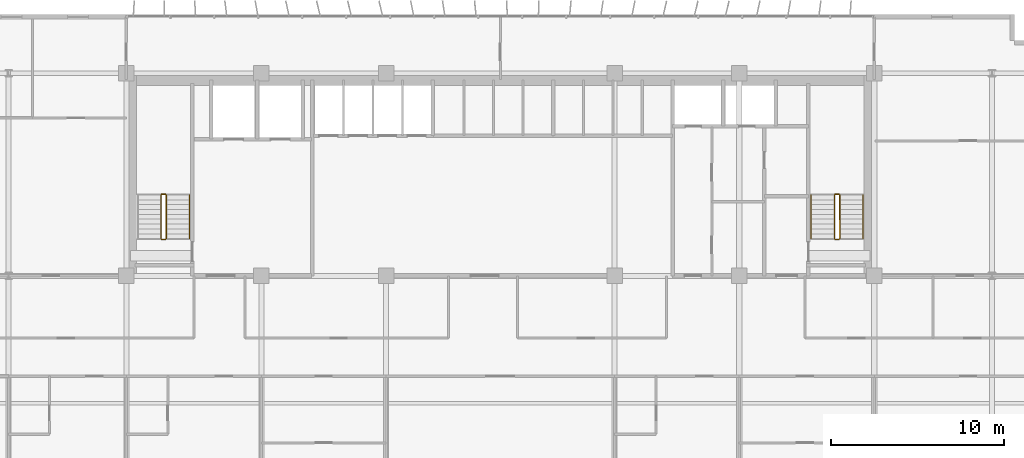
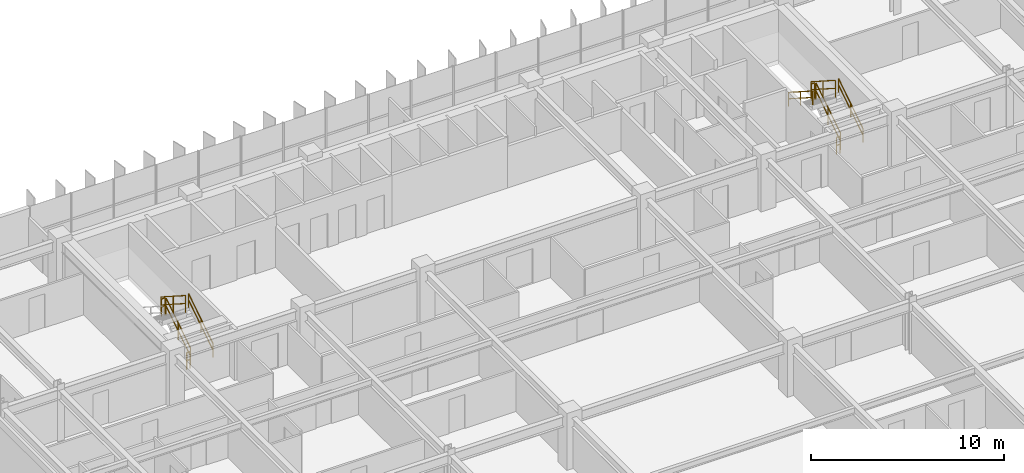
# One storey, part 24 of 25: 11 railings.
"""IFC4 building model written with IfcOpenShell, lengths in metres."""

import ifcopenshell
import ifcopenshell.guid

model = None  # the IFC model being written
_history = None  # IfcOwnerHistory: only IFC2X3 demands one
_inside = {}  # id of a spatial element -> (the spatial element, [elements in it])
_under = {}  # id of a project, library or spatial element -> (it, [spatial elements below it])
_declared = {}  # id of a project -> (the project, [libraries it declares])
_typed = {}  # id of a type object -> (the type object, [elements of that type])
_made_of = {}  # id of a material, layer set ... -> (it, [elements and type objects made of it])


def new_model(schema):
    """Start an empty IFC model of exactly this schema.

    Asked for "IFC4X3", IfcOpenShell would pick the latest addendum, in which some entities
    have other attributes; the version numbers below select the first issue.
    IFC2X3 requires an IfcOwnerHistory on every rooted entity: one is made here for all.
    """
    global model, _history
    if schema == "IFC4X3":
        model = ifcopenshell.file(schema_version=(4, 3, 0, 0))
    else:
        model = ifcopenshell.file(schema=schema)
    _inside.clear()
    _under.clear()
    _declared.clear()
    _typed.clear()
    _made_of.clear()
    _history = None
    if model.schema == "IFC2X3":
        org = make("IfcOrganization", Name="unknown")
        user = make(
            "IfcPersonAndOrganization",
            ThePerson=make("IfcPerson", FamilyName="unknown"),
            TheOrganization=org,
        )
        app = make(
            "IfcApplication",
            ApplicationDeveloper=org,
            Version="unknown",
            ApplicationFullName="unknown",
            ApplicationIdentifier="unknown",
        )
        _history = make(
            "IfcOwnerHistory",
            OwningUser=user,
            OwningApplication=app,
            ChangeAction="ADDED",
            CreationDate=0,
        )
    return model


def make(cls, **values):
    """One entity of the class cls with the attributes given. An attribute that is None is left unset."""
    return model.create_entity(
        cls, **{name: value for name, value in values.items() if value is not None}
    )


def rooted(cls, **values):
    """An entity with a GlobalId (a new one), such as an element, a storey or a relation."""
    return make(cls, GlobalId=ifcopenshell.guid.new(), OwnerHistory=_history, **values)


def si_unit(unit_type, name, prefix=None):
    """IfcSIUnit, for example si_unit("LENGTHUNIT", "METRE", prefix="MILLI")."""
    return make("IfcSIUnit", UnitType=unit_type, Prefix=prefix, Name=name)


def assignment(units):
    """IfcUnitAssignment: the units of a project."""
    return None if units is None else make("IfcUnitAssignment", Units=units)


def point(xyz):
    """IfcCartesianPoint."""
    return None if xyz is None else make("IfcCartesianPoint", Coordinates=xyz)


def direction(xyz):
    """IfcDirection."""
    return None if xyz is None else make("IfcDirection", DirectionRatios=xyz)


def frame(location, z_axis=None, x_axis=None):
    """IfcAxis2Placement3D, a coordinate frame: its origin and axes. An axis left out is left unset."""
    return make(
        "IfcAxis2Placement3D",
        Location=point(location),
        Axis=direction(z_axis),
        RefDirection=direction(x_axis),
    )


def frame_2d(location, x_axis=None):
    """IfcAxis2Placement2D, a coordinate frame in the plane: its origin and x axis."""
    return make(
        "IfcAxis2Placement2D", Location=point(location), RefDirection=direction(x_axis)
    )


def origin():
    """The frame at (0, 0, 0) with its axes left unset."""
    return frame((0.0, 0.0, 0.0))


def origin_2d():
    """The frame at (0, 0) in the plane with its x axis left unset."""
    return frame_2d((0.0, 0.0))


def place(relative_to, where):
    """IfcLocalPlacement: puts the frame where relative to a parent placement (None: the world)."""
    return make(
        "IfcLocalPlacement", PlacementRelTo=relative_to, RelativePlacement=where
    )


def context(
    kind, dimensions, precision=None, world=None, true_north=None, identifier=None
):
    """IfcGeometricRepresentationContext, for example the 3D "Model" context."""
    return make(
        "IfcGeometricRepresentationContext",
        ContextIdentifier=identifier,
        ContextType=kind,
        CoordinateSpaceDimension=dimensions,
        Precision=precision,
        WorldCoordinateSystem=world,
        TrueNorth=true_north,
    )


def subcontext(parent, identifier, kind, view, scale=None):
    """IfcGeometricRepresentationSubContext, for example "Body" below "Model"."""
    return make(
        "IfcGeometricRepresentationSubContext",
        ContextIdentifier=identifier,
        ContextType=kind,
        ParentContext=parent,
        TargetScale=scale,
        TargetView=view,
    )


def project(units=None, contexts=None):
    """IfcProject with its units and contexts."""
    return rooted(
        "IfcProject",
        Name="project",
        RepresentationContexts=contexts,
        UnitsInContext=assignment(units),
    )


def spatial(cls, under=None, at=None, **own):
    """A site, building, storey or space (cls), placed at a placement, below another one or the project."""
    s = rooted(cls, ObjectPlacement=at, **own)
    if under is not None:
        _under.setdefault(under.id(), (under, []))[1].append(s)
    return s


def profile(cls, at=None, kind="AREA", **sizes):
    """A parametric profile (cls). Its sizes go by their IFC names, for example OverallWidth=200.0."""
    return make(cls, ProfileType=kind, Position=at, **sizes)


def rectangle(**sizes):
    """IfcRectangleProfileDef."""
    return profile("IfcRectangleProfileDef", **sizes)


def extrude(swept, where, along, depth):
    """IfcExtrudedAreaSolid: the profile swept, set in the frame where, extruded along a direction by depth."""
    return make(
        "IfcExtrudedAreaSolid",
        SweptArea=swept,
        Position=where,
        ExtrudedDirection=direction(along),
        Depth=depth,
    )


def shape(context_of_items, identifier, shape_type, items):
    """IfcShapeRepresentation: the items that make up one representation, for example the "Body"."""
    return make(
        "IfcShapeRepresentation",
        ContextOfItems=context_of_items,
        RepresentationIdentifier=identifier,
        RepresentationType=shape_type,
        Items=items,
    )


def material(Name=None, Category=None):
    """IfcMaterial."""
    return make("IfcMaterial", Name=Name, Category=Category)


def made_of(thing, what):
    """Note that an element or type object is made of a material, layer set ...; save() writes the relation."""
    if what is not None:
        _made_of.setdefault(what.id(), (what, []))[1].append(thing)
    return thing


def type_object(cls, material=None, **own):
    """A type object (cls), such as IfcWallType, which elements share."""
    return made_of(rooted(cls, **own), material)


def element(
    cls,
    number,
    at=None,
    inside=None,
    cuts=None,
    type_object=None,
    material=None,
    context=None,
    identifier="Body",
    shape_type=None,
    held_by="IfcProductDefinitionShape",
    body=None,
    shapes=None,
    **own,
):
    """One element of the class cls, such as IfcWall. Its Tag is "e" and its number.

    at: its placement. inside: the storey or other place that contains it. cuts: it is an
    opening in that element (IfcRelVoidsElement). A single representation is given by context,
    identifier, shape_type and body (its items); several are given by shapes. held_by: the class
    of the entity that holds the representations. save() writes the other relations.
    """
    e = rooted(cls, Tag="e%d" % number, ObjectPlacement=at, **own)
    if body is not None:
        shapes = [shape(context, identifier, shape_type, body)]
    if shapes is not None:
        e.Representation = make(held_by, Representations=shapes)
    if inside is not None:
        _inside.setdefault(inside.id(), (inside, []))[1].append(e)
    if cuts is not None:
        rooted(
            "IfcRelVoidsElement", RelatingBuildingElement=cuts, RelatedOpeningElement=e
        )
    if type_object is not None:
        _typed.setdefault(type_object.id(), (type_object, []))[1].append(e)
    return made_of(e, material)


def aggregate(whole, parts):
    """IfcRelAggregates: a whole, such as a stair, and the parts it consists of."""
    return rooted("IfcRelAggregates", RelatingObject=whole, RelatedObjects=parts)


def save(model, path):
    """Write the relations noted so far, then the file.

    IfcRelAggregates (storeys below a building ...), IfcRelContainedInSpatialStructure (elements
    in a storey), IfcRelDefinesByType, IfcRelAssociatesMaterial and IfcRelDeclares: one each for
    every whole, place, type object, material and project.
    """
    for whole, parts in _under.values():
        aggregate(whole, parts)
    for where, things in _inside.values():
        rooted(
            "IfcRelContainedInSpatialStructure",
            RelatedElements=things,
            RelatingStructure=where,
        )
    for kind, things in _typed.values():
        rooted("IfcRelDefinesByType", RelatedObjects=things, RelatingType=kind)
    for what, things in _made_of.values():
        rooted("IfcRelAssociatesMaterial", RelatedObjects=things, RelatingMaterial=what)
    for by, libraries in _declared.values():
        rooted("IfcRelDeclares", RelatingContext=by, RelatedDefinitions=libraries)
    model.write(path)


model = new_model("IFC4")

# Units and contexts
model_context = context("Model", 3, precision=1e-05, world=origin(), true_north=direction((0.0, 1.0)))
body_context = subcontext(model_context, "Body", "Model", "MODEL_VIEW")
ifc_project = project(units=[si_unit("LENGTHUNIT", "METRE"), si_unit("AREAUNIT", "SQUARE_METRE"), si_unit("VOLUMEUNIT", "CUBIC_METRE"), si_unit("PLANEANGLEUNIT", "RADIAN"), si_unit("MASSUNIT", "GRAM", prefix="KILO")], contexts=[model_context])

# Site, building, storey
site_placement = place(None, origin())
site = spatial("IfcSite", under=ifc_project, at=site_placement, CompositionType="ELEMENT")
building_placement = place(site_placement, origin())
building = spatial("IfcBuilding", under=site, at=building_placement, Name="Trelvane Seafront Commons", CompositionType="ELEMENT")
storey_placement = place(building_placement, frame((0.0, 0.0, 70.300048828125)))
storey = spatial("IfcBuildingStorey", under=building, at=storey_placement, Name="L18", CompositionType="ELEMENT", Elevation=70.300048828125)

# Railings
ifc_material = material(Name="Stainless steel balustrade", Category="steel")
railing_type_1 = type_object("IfcRailingType", Name="ARCH-SRL-GUARD", PredefinedType="GUARDRAIL", material=ifc_material)
railing_1_placement = place(storey_placement, frame((17.89990234375, 35.550048828125, 0.179931640625)))
element("IfcRailing", 1, at=railing_1_placement, inside=storey, type_object=railing_type_1, Name="L18 ST-1 stair guard 1", PredefinedType="GUARDRAIL", context=body_context, shape_type="SweptSolid", body=[
    extrude(rectangle(XDim=0.048095703125, YDim=0.048095703125, at=origin_2d()), frame((0.0, 0.0, 1.076171875), z_axis=(0.0, 0.841162588446, 0.540782303519), x_axis=(-1.0, 0.0, 0.0)), (0.0, 0.0, 1.0), 2.995849609375),
    extrude(rectangle(XDim=0.048095703125, YDim=0.048095703125, at=origin_2d()), frame((0.0, 0.0, 0.572021484375), z_axis=(0.0, 0.841162588446, 0.540782303519), x_axis=(-1.0, 0.0, 0.0)), (0.0, 0.0, 1.0), 2.995849609375),
    extrude(rectangle(XDim=0.0419921875, YDim=0.0419921875, at=origin_2d()), origin(), (0.0, 0.0, 1.0), 1.076171875),
    extrude(rectangle(XDim=0.0419921875, YDim=0.0419921875, at=origin_2d()), frame((0.0, 1.260009765625, 0.81005859375)), (0.0, 0.0, 1.0), 1.076171875),
    extrude(rectangle(XDim=0.0419921875, YDim=0.0419921875, at=origin_2d()), frame((0.0, 2.52001953125, 1.6201171875)), (0.0, 0.0, 1.0), 1.076171875),
])
railing_2_placement = place(storey_placement, frame((17.85009765625, 38.1201171875, 1.800048828125)))
element("IfcRailing", 2, at=railing_2_placement, inside=storey, type_object=railing_type_1, Name="L18 ST-1 stair guard 2", PredefinedType="GUARDRAIL", context=body_context, shape_type="SweptSolid", body=[
    extrude(rectangle(XDim=0.048095703125, YDim=0.048095703125, at=origin_2d()), frame((0.0, 0.0, 1.076171875), z_axis=(-1.0, 0.0, 0.0), x_axis=(0.0, -1.0, 0.0)), (0.0, 0.0, 1.0), 0.2001953125),
    extrude(rectangle(XDim=0.048095703125, YDim=0.048095703125, at=origin_2d()), frame((0.0, 0.0, 0.572021484375), z_axis=(-1.0, 0.0, 0.0), x_axis=(0.0, -1.0, 0.0)), (0.0, 0.0, 1.0), 0.2001953125),
    extrude(rectangle(XDim=0.0419921875, YDim=0.0419921875, at=origin_2d()), origin(), (0.0, 0.0, 1.0), 1.076171875),
    extrude(rectangle(XDim=0.0419921875, YDim=0.0419921875, at=origin_2d()), frame((-0.2001953125, 0.0, 0.0)), (0.0, 0.0, 1.0), 1.076171875),
])
railing_3_placement = place(storey_placement, frame((17.60009765625, 38.070068359375, 1.97998046875)))
element("IfcRailing", 3, at=railing_3_placement, inside=storey, type_object=railing_type_1, Name="L18 ST-1 stair guard 3", PredefinedType="GUARDRAIL", context=body_context, shape_type="SweptSolid", body=[
    extrude(rectangle(XDim=0.048095703125, YDim=0.048095703125, at=origin_2d()), frame((0.0, 0.0, 1.076171875), z_axis=(0.0, -0.841199657755, 0.540724639528), x_axis=(1.0, 0.0, 0.0)), (0.0, 0.0, 1.0), 2.995849609375),
    extrude(rectangle(XDim=0.048095703125, YDim=0.048095703125, at=origin_2d()), frame((0.0, 0.0, 0.572021484375), z_axis=(0.0, -0.841199657755, 0.540724639528), x_axis=(1.0, 0.0, 0.0)), (0.0, 0.0, 1.0), 2.995849609375),
    extrude(rectangle(XDim=0.0419921875, YDim=0.0419921875, at=origin_2d()), origin(), (0.0, 0.0, 1.0), 1.076171875),
    extrude(rectangle(XDim=0.0419921875, YDim=0.0419921875, at=origin_2d()), frame((0.0, -1.260009765625, 0.81005859375)), (0.0, 0.0, 1.0), 1.076171875),
    extrude(rectangle(XDim=0.0419921875, YDim=0.0419921875, at=origin_2d()), frame((0.0, -2.52001953125, 1.619873046875)), (0.0, 0.0, 1.0), 1.076171875),
])
railing_4_placement = place(storey_placement, frame((17.85009765625, 35.5, 0.0)))
element("IfcRailing", 4, at=railing_4_placement, inside=storey, type_object=railing_type_1, Name="L18 ST-1 stair guard 4", PredefinedType="GUARDRAIL", context=body_context, shape_type="SweptSolid", body=[
    extrude(rectangle(XDim=0.048095703125, YDim=0.048095703125, at=origin_2d()), frame((0.0, 0.0, 1.076171875), z_axis=(-1.0, 0.0, 0.0), x_axis=(0.0, -1.0, 0.0)), (0.0, 0.0, 1.0), 0.2001953125),
    extrude(rectangle(XDim=0.048095703125, YDim=0.048095703125, at=origin_2d()), frame((0.0, 0.0, 0.572021484375), z_axis=(-1.0, 0.0, 0.0), x_axis=(0.0, -1.0, 0.0)), (0.0, 0.0, 1.0), 0.2001953125),
    extrude(rectangle(XDim=0.0419921875, YDim=0.0419921875, at=origin_2d()), origin(), (0.0, 0.0, 1.0), 1.076171875),
    extrude(rectangle(XDim=0.0419921875, YDim=0.0419921875, at=origin_2d()), frame((-0.2001953125, 0.0, 0.0)), (0.0, 0.0, 1.0), 1.076171875),
])
railing_5_placement = place(storey_placement, frame((56.800048828125, 35.550048828125, 0.179931640625)))
element("IfcRailing", 5, at=railing_5_placement, inside=storey, type_object=railing_type_1, Name="L18 ST-2 stair guard 1", PredefinedType="GUARDRAIL", context=body_context, shape_type="SweptSolid", body=[
    extrude(rectangle(XDim=0.048095703125, YDim=0.048095703125, at=origin_2d()), frame((0.0, 0.0, 1.076171875), z_axis=(0.0, 0.841162588446, 0.540782303519), x_axis=(-1.0, 0.0, 0.0)), (0.0, 0.0, 1.0), 2.995849609375),
    extrude(rectangle(XDim=0.048095703125, YDim=0.048095703125, at=origin_2d()), frame((0.0, 0.0, 0.572021484375), z_axis=(0.0, 0.841162588446, 0.540782303519), x_axis=(-1.0, 0.0, 0.0)), (0.0, 0.0, 1.0), 2.995849609375),
    extrude(rectangle(XDim=0.0419921875, YDim=0.0419921875, at=origin_2d()), origin(), (0.0, 0.0, 1.0), 1.076171875),
    extrude(rectangle(XDim=0.0419921875, YDim=0.0419921875, at=origin_2d()), frame((0.0, 1.260009765625, 0.81005859375)), (0.0, 0.0, 1.0), 1.076171875),
    extrude(rectangle(XDim=0.0419921875, YDim=0.0419921875, at=origin_2d()), frame((0.0, 2.52001953125, 1.6201171875)), (0.0, 0.0, 1.0), 1.076171875),
])
railing_6_placement = place(storey_placement, frame((56.75, 38.1201171875, 1.800048828125)))
element("IfcRailing", 6, at=railing_6_placement, inside=storey, type_object=railing_type_1, Name="L18 ST-2 stair guard 2", PredefinedType="GUARDRAIL", context=body_context, shape_type="SweptSolid", body=[
    extrude(rectangle(XDim=0.048095703125, YDim=0.048095703125, at=origin_2d()), frame((0.0, 0.0, 1.076171875), z_axis=(-1.0, 0.0, 0.0), x_axis=(0.0, -1.0, 0.0)), (0.0, 0.0, 1.0), 0.199951171875),
    extrude(rectangle(XDim=0.048095703125, YDim=0.048095703125, at=origin_2d()), frame((0.0, 0.0, 0.572021484375), z_axis=(-1.0, 0.0, 0.0), x_axis=(0.0, -1.0, 0.0)), (0.0, 0.0, 1.0), 0.199951171875),
    extrude(rectangle(XDim=0.0419921875, YDim=0.0419921875, at=origin_2d()), origin(), (0.0, 0.0, 1.0), 1.076171875),
    extrude(rectangle(XDim=0.0419921875, YDim=0.0419921875, at=origin_2d()), frame((-0.199951171875, 0.0, 0.0)), (0.0, 0.0, 1.0), 1.076171875),
])
railing_7_placement = place(storey_placement, frame((56.5, 38.070068359375, 1.97998046875)))
element("IfcRailing", 7, at=railing_7_placement, inside=storey, type_object=railing_type_1, Name="L18 ST-2 stair guard 3", PredefinedType="GUARDRAIL", context=body_context, shape_type="SweptSolid", body=[
    extrude(rectangle(XDim=0.048095703125, YDim=0.048095703125, at=origin_2d()), frame((0.0, 0.0, 1.076171875), z_axis=(0.0, -0.841199657755, 0.540724639528), x_axis=(1.0, 0.0, 0.0)), (0.0, 0.0, 1.0), 2.995849609375),
    extrude(rectangle(XDim=0.048095703125, YDim=0.048095703125, at=origin_2d()), frame((0.0, 0.0, 0.572021484375), z_axis=(0.0, -0.841199657755, 0.540724639528), x_axis=(1.0, 0.0, 0.0)), (0.0, 0.0, 1.0), 2.995849609375),
    extrude(rectangle(XDim=0.0419921875, YDim=0.0419921875, at=origin_2d()), origin(), (0.0, 0.0, 1.0), 1.076171875),
    extrude(rectangle(XDim=0.0419921875, YDim=0.0419921875, at=origin_2d()), frame((0.0, -1.260009765625, 0.81005859375)), (0.0, 0.0, 1.0), 1.076171875),
    extrude(rectangle(XDim=0.0419921875, YDim=0.0419921875, at=origin_2d()), frame((0.0, -2.52001953125, 1.619873046875)), (0.0, 0.0, 1.0), 1.076171875),
])
railing_8_placement = place(storey_placement, frame((56.75, 35.5, 0.0)))
element("IfcRailing", 8, at=railing_8_placement, inside=storey, type_object=railing_type_1, Name="L18 ST-2 stair guard 4", PredefinedType="GUARDRAIL", context=body_context, shape_type="SweptSolid", body=[
    extrude(rectangle(XDim=0.048095703125, YDim=0.048095703125, at=origin_2d()), frame((0.0, 0.0, 1.076171875), z_axis=(-1.0, 0.0, 0.0), x_axis=(0.0, -1.0, 0.0)), (0.0, 0.0, 1.0), 0.199951171875),
    extrude(rectangle(XDim=0.048095703125, YDim=0.048095703125, at=origin_2d()), frame((0.0, 0.0, 0.572021484375), z_axis=(-1.0, 0.0, 0.0), x_axis=(0.0, -1.0, 0.0)), (0.0, 0.0, 1.0), 0.199951171875),
    extrude(rectangle(XDim=0.0419921875, YDim=0.0419921875, at=origin_2d()), origin(), (0.0, 0.0, 1.0), 1.076171875),
    extrude(rectangle(XDim=0.0419921875, YDim=0.0419921875, at=origin_2d()), frame((-0.199951171875, 0.0, 0.0)), (0.0, 0.0, 1.0), 1.076171875),
])
railing_type_2 = type_object("IfcRailingType", Name="ARCH-SRL-HAND", PredefinedType="HANDRAIL", material=ifc_material)
for number, where, name in (
    (9, (19.25, 35.550048828125, 0.179931640625), "L18 ST-1 stair handrail 1"),
    (10, (58.14990234375, 35.550048828125, 0.179931640625), "L18 ST-2 stair handrail 1"),
):
    element("IfcRailing", number, at=place(storey_placement, frame(where)), inside=storey, type_object=railing_type_2, Name=name, PredefinedType="HANDRAIL", context=body_context, shape_type="SweptSolid", body=[
        extrude(rectangle(XDim=0.048095703125, YDim=0.048095703125, at=origin_2d()), frame((0.0, 0.0, 0.8759765625), z_axis=(0.0, 0.841162588446, 0.540782303519), x_axis=(-1.0, 0.0, 0.0)), (0.0, 0.0, 1.0), 2.995849609375),
        extrude(rectangle(XDim=0.048095703125, YDim=0.048095703125, at=origin_2d()), frame((0.0, 0.0, 0.468017578125), z_axis=(0.0, 0.841162588446, 0.540782303519), x_axis=(-1.0, 0.0, 0.0)), (0.0, 0.0, 1.0), 2.995849609375),
        extrude(rectangle(XDim=0.0419921875, YDim=0.0419921875, at=origin_2d()), origin(), (0.0, 0.0, 1.0), 0.8759765625),
        extrude(rectangle(XDim=0.0419921875, YDim=0.0419921875, at=origin_2d()), frame((0.0, 1.260009765625, 0.81005859375)), (0.0, 0.0, 1.0), 0.8759765625),
        extrude(rectangle(XDim=0.0419921875, YDim=0.0419921875, at=origin_2d()), frame((0.0, 2.52001953125, 1.6201171875)), (0.0, 0.0, 1.0), 0.8759765625),
    ])
railing_9_placement = place(storey_placement, frame((55.14990234375, 38.070068359375, 1.97998046875)))
element("IfcRailing", 11, at=railing_9_placement, inside=storey, type_object=railing_type_2, Name="L18 ST-2 stair handrail 2", PredefinedType="HANDRAIL", context=body_context, shape_type="SweptSolid", body=[
    extrude(rectangle(XDim=0.048095703125, YDim=0.048095703125, at=origin_2d()), frame((0.0, 0.0, 0.8759765625), z_axis=(0.0, -0.841199657755, 0.540724639528), x_axis=(1.0, 0.0, 0.0)), (0.0, 0.0, 1.0), 2.995849609375),
    extrude(rectangle(XDim=0.048095703125, YDim=0.048095703125, at=origin_2d()), frame((0.0, 0.0, 0.468017578125), z_axis=(0.0, -0.841199657755, 0.540724639528), x_axis=(1.0, 0.0, 0.0)), (0.0, 0.0, 1.0), 2.995849609375),
    extrude(rectangle(XDim=0.0419921875, YDim=0.0419921875, at=origin_2d()), origin(), (0.0, 0.0, 1.0), 0.8759765625),
    extrude(rectangle(XDim=0.0419921875, YDim=0.0419921875, at=origin_2d()), frame((0.0, -1.260009765625, 0.81005859375)), (0.0, 0.0, 1.0), 0.8759765625),
    extrude(rectangle(XDim=0.0419921875, YDim=0.0419921875, at=origin_2d()), frame((0.0, -2.52001953125, 1.619873046875)), (0.0, 0.0, 1.0), 0.8759765625),
])

save(model, "model.ifc")
